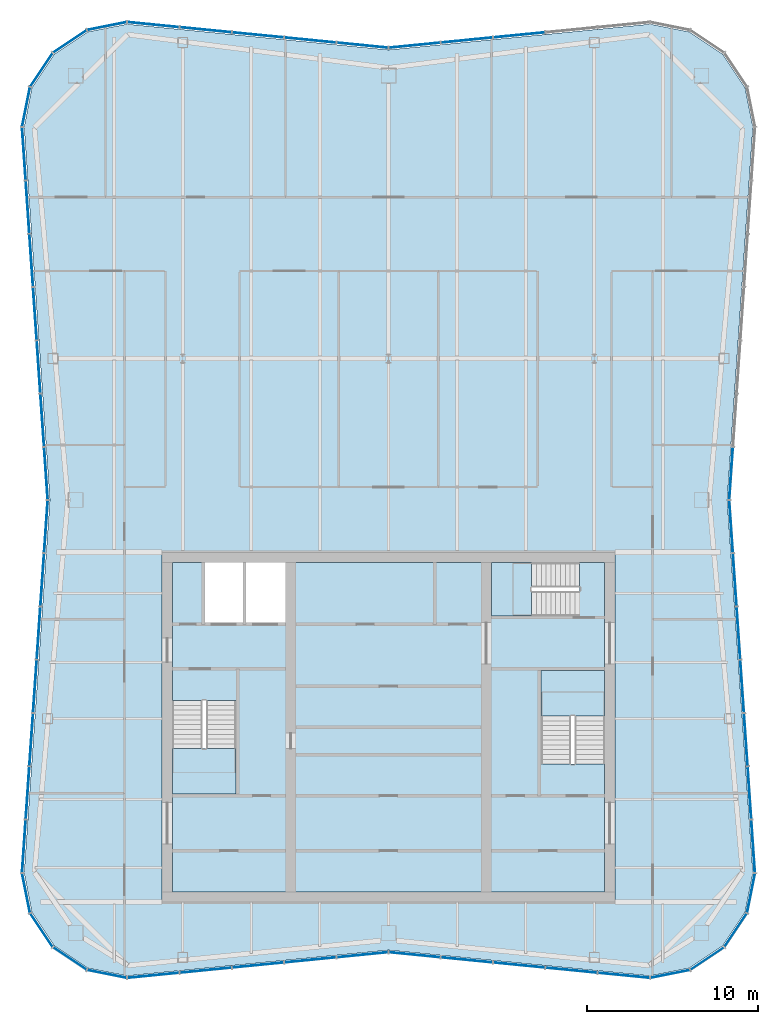
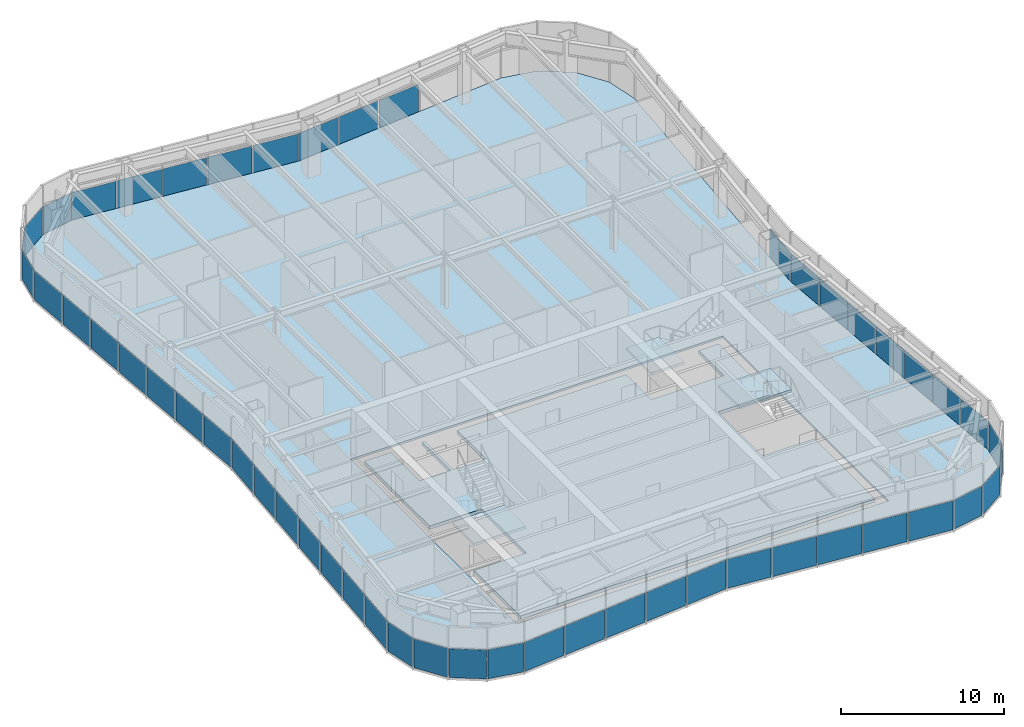
# One storey, part 8 of 13: 52 plates, 5 slabs, 10 elements without a shape of their own.
"""IFC4 building model written with IfcOpenShell, lengths in metres."""

from ifc_helpers import new_model, si_unit, direction, frame, origin, origin_2d, place, context, subcontext, project, spatial, polyline, rectangle, outline, extrude, material, layer, layer_set, type_object, element, aggregate, save


model = new_model("IFC4")

# Units and contexts
model_context = context("Model", 3, precision=1e-05, world=origin(), true_north=direction((0.0, 1.0)))
body_context = subcontext(model_context, "Body", "Model", "MODEL_VIEW")
ifc_project = project(units=[si_unit("LENGTHUNIT", "METRE"), si_unit("AREAUNIT", "SQUARE_METRE"), si_unit("VOLUMEUNIT", "CUBIC_METRE"), si_unit("PLANEANGLEUNIT", "RADIAN"), si_unit("MASSUNIT", "GRAM", prefix="KILO")], contexts=[model_context])

# Site, building, storey
site_placement = place(None, origin())
site = spatial("IfcSite", under=ifc_project, at=site_placement, CompositionType="ELEMENT")
building_placement = place(site_placement, origin())
building = spatial("IfcBuilding", under=site, at=building_placement, Name="Verdant Reach Tower", CompositionType="ELEMENT")
storey_placement = place(building_placement, frame((0.0, 0.0, 364.0)))
storey = spatial("IfcBuildingStorey", under=building, at=storey_placement, Name="L82 Plant", CompositionType="ELEMENT", Elevation=364.0)

# Stair, slab
ifc_material_1 = material(Name="Concrete C40/50", Category="concrete")
stair_type = type_object("IfcStairType", Name="CO-STAIR", PredefinedType="HALF_TURN_STAIR", material=ifc_material_1)
stair_1_placement = place(storey_placement, origin())
stair_1 = element("IfcStair", 1, at=stair_1_placement, inside=storey, type_object=stair_type, Name="L82 Plant Exit stair 1", PredefinedType="HALF_TURN_STAIR")
ifc_layer_1 = layer(ifc_material_1, 0.199951171875)
ifc_layer_set_1 = layer_set([ifc_layer_1], Name="CO-STAIR-LANDING")
slab_type_1 = type_object("IfcSlabType", Name="CO-STAIR-LANDING", PredefinedType="LANDING", material=ifc_layer_set_1)
slab_1_placement = place(storey_placement, frame((0.0, 0.0, 1.800048828125)))
slab_1 = element("IfcSlab", 2, at=slab_1_placement, type_object=slab_type_1, Name="ST-1 landing 1", PredefinedType="LANDING", context=body_context, shape_type="SweptSolid", body=[
    extrude(outline(polyline([(-12.60009765625, 26.75), (-12.60009765625, 24.10009765625), (-8.89990234375, 24.10009765625), (-8.89990234375, 26.75), (-12.60009765625, 26.75)])), origin(), (0.0, 0.0, 1.0), 0.199951171875),
])
aggregate(stair_1, [slab_1])

stair_2_placement = place(storey_placement, origin())
stair_2 = element("IfcStair", 3, at=stair_2_placement, inside=storey, type_object=stair_type, Name="L82 Plant Exit stair 2", PredefinedType="HALF_TURN_STAIR")
slab_2_placement = place(storey_placement, frame((0.0, 0.0, 1.800048828125)))
slab_2 = element("IfcSlab", 4, at=slab_2_placement, type_object=slab_type_1, Name="ST-2 landing 1", PredefinedType="LANDING", context=body_context, shape_type="SweptSolid", body=[
    extrude(outline(polyline([(12.60009765625, 28.64990234375), (12.60009765625, 31.300048828125), (8.89990234375, 31.300048828125), (8.89990234375, 28.64990234375), (12.60009765625, 28.64990234375)])), origin(), (0.0, 0.0, 1.0), 0.199951171875),
])
aggregate(stair_2, [slab_2])

stair_3_placement = place(storey_placement, origin())
stair_3 = element("IfcStair", 5, at=stair_3_placement, inside=storey, type_object=stair_type, Name="L82 Plant Exit stair 3", PredefinedType="HALF_TURN_STAIR")
slab_3_placement = place(storey_placement, frame((0.0, 0.0, 1.800048828125)))
slab_3 = element("IfcSlab", 6, at=slab_3_placement, type_object=slab_type_1, Name="ST-3 landing 1", PredefinedType="LANDING", context=body_context, shape_type="SweptSolid", body=[
    extrude(outline(polyline([(8.35009765625, 37.60009765625), (6.0, 37.60009765625), (6.0, 34.5), (8.35009765625, 34.5), (8.35009765625, 37.60009765625)])), origin(), (0.0, 0.0, 1.0), 0.199951171875),
])
aggregate(stair_3, [slab_3])

# Curtain wall, plates
ifc_material_2 = material(Name="Anodised aluminium", Category="aluminium")
curtain_wall_type = type_object("IfcCurtainWallType", Name="EN-CW SYSTEM PLANT", PredefinedType="NOTDEFINED", material=ifc_material_2)
curtain_wall_1_placement = place(storey_placement, origin())
curtain_wall_1 = element("IfcCurtainWall", 7, at=curtain_wall_1_placement, inside=storey, type_object=curtain_wall_type, Name="Curtain wall south-east corner, L82", PredefinedType="NOTDEFINED")
ifc_material_3 = material(Name="Bronze anodised aluminium solid panel", Category="aluminium")
ifc_layer_2 = layer(ifc_material_3, 0.0400390625)
ifc_layer_set_2 = layer_set([ifc_layer_2], Name="EN-PANEL SOLID")
plate_type = type_object("IfcPlateType", Name="EN-PANEL SOLID", PredefinedType="CURTAIN_PANEL", material=ifc_layer_set_2)
plate_1_placement = place(storey_placement, frame((16.423828125, 13.614013671875, -0.2001953125), z_axis=(0.0, 0.0, 1.0), x_axis=(0.980705120874, 0.195492879387, 0.0)))
plate_1 = element("IfcPlate", 8, at=plate_1_placement, type_object=plate_type, Name="Solid panel south-east corner 1.1, L82", PredefinedType="CURTAIN_PANEL", context=body_context, shape_type="SweptSolid", body=[
    extrude(rectangle(XDim=2.3056640625, YDim=0.0400390625, at=origin_2d()), origin(), (0.0, 0.0, 1.0), 2.175048828125),
])
plate_2_placement = place(storey_placement, frame((18.584228515625, 14.510009765625, -0.2001953125), z_axis=(0.0, 0.0, 1.0), x_axis=(0.83145208321, 0.555596466265, 0.0)))
plate_2 = element("IfcPlate", 9, at=plate_2_placement, type_object=plate_type, Name="Solid panel south-east corner 2.1, L82", PredefinedType="CURTAIN_PANEL", context=body_context, shape_type="SweptSolid", body=[
    extrude(rectangle(XDim=2.3115234375, YDim=0.0400390625, at=origin_2d()), origin(), (0.0, 0.0, 1.0), 2.175048828125),
])
plate_3_placement = place(storey_placement, frame((20.239990234375, 16.165771484375, -0.2001953125), z_axis=(0.0, 0.0, 1.0), x_axis=(0.555596466265, 0.83145208321, 0.0)))
plate_3 = element("IfcPlate", 10, at=plate_3_placement, type_object=plate_type, Name="Solid panel south-east corner 3.1, L82", PredefinedType="CURTAIN_PANEL", context=body_context, shape_type="SweptSolid", body=[
    extrude(rectangle(XDim=2.3115234375, YDim=0.0400390625, at=origin_2d()), origin(), (0.0, 0.0, 1.0), 2.175048828125),
])
plate_4_placement = place(storey_placement, frame((21.135986328125, 18.325439453125, -0.2001953125), z_axis=(0.0, 0.0, 1.0), x_axis=(0.195592962334, 0.980685165119, 0.0)))
plate_4 = element("IfcPlate", 11, at=plate_4_placement, type_object=plate_type, Name="Solid panel south-east corner 4.1, L82", PredefinedType="CURTAIN_PANEL", context=body_context, shape_type="SweptSolid", body=[
    extrude(rectangle(XDim=2.303955078125, YDim=0.0400390625, at=origin_2d()), origin(), (0.0, 0.0, 1.0), 2.175048828125),
])
aggregate(curtain_wall_1, [plate_1, plate_2, plate_3, plate_4])

curtain_wall_2_placement = place(storey_placement, origin())
curtain_wall_2 = element("IfcCurtainWall", 12, at=curtain_wall_2_placement, inside=storey, type_object=curtain_wall_type, Name="Curtain wall east, L82", PredefinedType="NOTDEFINED")
plate_5_placement = place(storey_placement, frame((21.261474609375, 21.053955078125, -0.2001953125), z_axis=(0.0, 0.0, 1.0), x_axis=(-0.068469163133, 0.997653233193, 0.0)))
plate_5 = element("IfcPlate", 13, at=plate_5_placement, type_object=plate_type, Name="Solid panel east face part 1 1.1, L82", PredefinedType="CURTAIN_PANEL", context=body_context, shape_type="SweptSolid", body=[
    extrude(rectangle(XDim=3.05419921875, YDim=0.0400390625, at=origin_2d()), origin(), (0.0, 0.0, 1.0), 2.175048828125),
])
plate_6_placement = place(storey_placement, frame((21.04736328125, 24.1689453125, -0.2001953125), z_axis=(0.0, 0.0, 1.0), x_axis=(-0.068802091615, 0.997630328423, 0.0)))
plate_6 = element("IfcPlate", 14, at=plate_6_placement, type_object=plate_type, Name="Solid panel east face part 1 2.1, L82", PredefinedType="CURTAIN_PANEL", context=body_context, shape_type="SweptSolid", body=[
    extrude(rectangle(XDim=3.03857421875, YDim=0.0400390625, at=origin_2d()), origin(), (0.0, 0.0, 1.0), 2.175048828125),
])
plate_7_placement = place(storey_placement, frame((20.8330078125, 27.276123046875, -0.2001953125), z_axis=(0.0, 0.0, 1.0), x_axis=(-0.068802091615, 0.997630328423, 0.0)))
plate_7 = element("IfcPlate", 15, at=plate_7_placement, type_object=plate_type, Name="Solid panel east face part 1 3.1, L82", PredefinedType="CURTAIN_PANEL", context=body_context, shape_type="SweptSolid", body=[
    extrude(rectangle(XDim=3.03857421875, YDim=0.0400390625, at=origin_2d()), origin(), (0.0, 0.0, 1.0), 2.175048828125),
])
plate_8_placement = place(storey_placement, frame((20.61865234375, 30.38330078125, -0.2001953125), z_axis=(0.0, 0.0, 1.0), x_axis=(-0.068802091615, 0.997630328423, 0.0)))
plate_8 = element("IfcPlate", 16, at=plate_8_placement, type_object=plate_type, Name="Solid panel east face part 1 4.1, L82", PredefinedType="CURTAIN_PANEL", context=body_context, shape_type="SweptSolid", body=[
    extrude(rectangle(XDim=3.03857421875, YDim=0.0400390625, at=origin_2d()), origin(), (0.0, 0.0, 1.0), 2.175048828125),
])
plate_9_placement = place(storey_placement, frame((20.404541015625, 33.490234375, -0.2001953125), z_axis=(0.0, 0.0, 1.0), x_axis=(-0.068802091615, 0.997630328423, 0.0)))
plate_9 = element("IfcPlate", 17, at=plate_9_placement, type_object=plate_type, Name="Solid panel east face part 1 5.1, L82", PredefinedType="CURTAIN_PANEL", context=body_context, shape_type="SweptSolid", body=[
    extrude(rectangle(XDim=3.03857421875, YDim=0.0400390625, at=origin_2d()), origin(), (0.0, 0.0, 1.0), 2.175048828125),
])
plate_10_placement = place(storey_placement, frame((20.190185546875, 36.597412109375, -0.2001953125), z_axis=(0.0, 0.0, 1.0), x_axis=(-0.068802091615, 0.997630328423, 0.0)))
plate_10 = element("IfcPlate", 18, at=plate_10_placement, type_object=plate_type, Name="Solid panel east face part 1 6.1, L82", PredefinedType="CURTAIN_PANEL", context=body_context, shape_type="SweptSolid", body=[
    extrude(rectangle(XDim=3.03857421875, YDim=0.0400390625, at=origin_2d()), origin(), (0.0, 0.0, 1.0), 2.175048828125),
])
plate_11_placement = place(storey_placement, frame((19.97607421875, 39.700439453125, -0.2001953125), z_axis=(0.0, 0.0, 1.0), x_axis=(-0.068892655483, 0.997624078509, 0.0)))
plate_11 = element("IfcPlate", 19, at=plate_11_placement, type_object=plate_type, Name="Solid panel east face part 1 7.1, L82", PredefinedType="CURTAIN_PANEL", context=body_context, shape_type="SweptSolid", body=[
    extrude(rectangle(XDim=3.0302734375, YDim=0.0400390625, at=origin_2d()), origin(), (0.0, 0.0, 1.0), 2.175048828125),
])
plate_12_placement = place(storey_placement, frame((19.97607421875, 42.799560546875, -0.2001953125), z_axis=(0.0, 0.0, 1.0), x_axis=(0.068892655483, 0.997624078509, 0.0)))
plate_12 = element("IfcPlate", 20, at=plate_12_placement, type_object=plate_type, Name="Solid panel east face part 2 1.1, L82", PredefinedType="CURTAIN_PANEL", context=body_context, shape_type="SweptSolid", body=[
    extrude(rectangle(XDim=3.0302734375, YDim=0.0400390625, at=origin_2d()), origin(), (0.0, 0.0, 1.0), 2.175048828125),
])
aggregate(curtain_wall_2, [plate_5, plate_6, plate_7, plate_8, plate_9, plate_10, plate_11, plate_12])

curtain_wall_3_placement = place(storey_placement, origin())
curtain_wall_3 = element("IfcCurtainWall", 21, at=curtain_wall_3_placement, inside=storey, type_object=curtain_wall_type, Name="Curtain wall north, L82", PredefinedType="NOTDEFINED")
plate_13_placement = place(storey_placement, frame((7.61328125, 68.368408203125, -0.2001953125), z_axis=(0.0, 0.0, 1.0), x_axis=(-0.995197410875, -0.09788826992, 0.0)))
plate_13 = element("IfcPlate", 22, at=plate_13_placement, type_object=plate_type, Name="Solid panel north face part 1 3.1, L82", PredefinedType="CURTAIN_PANEL", context=body_context, shape_type="SweptSolid", body=[
    extrude(rectangle(XDim=2.98876953125, YDim=0.0400390625, at=origin_2d()), origin(), (0.0, 0.0, 1.0), 2.175048828125),
])
plate_14_placement = place(storey_placement, frame((4.563232421875, 68.068359375, -0.2001953125), z_axis=(0.0, 0.0, 1.0), x_axis=(-0.995197410875, -0.09788826992, 0.0)))
plate_14 = element("IfcPlate", 23, at=plate_14_placement, type_object=plate_type, Name="Solid panel north face part 1 4.1, L82", PredefinedType="CURTAIN_PANEL", context=body_context, shape_type="SweptSolid", body=[
    extrude(rectangle(XDim=2.98876953125, YDim=0.0400390625, at=origin_2d()), origin(), (0.0, 0.0, 1.0), 2.175048828125),
])
plate_15_placement = place(storey_placement, frame((1.519287109375, 67.768798828125, -0.2001953125), z_axis=(0.0, 0.0, 1.0), x_axis=(-0.995179069607, -0.098074560493, 0.0)))
plate_15 = element("IfcPlate", 24, at=plate_15_placement, type_object=plate_type, Name="Solid panel north face part 1 5.1, L82", PredefinedType="CURTAIN_PANEL", context=body_context, shape_type="SweptSolid", body=[
    extrude(rectangle(XDim=2.97705078125, YDim=0.0400390625, at=origin_2d()), origin(), (0.0, 0.0, 1.0), 2.175048828125),
])
plate_16_placement = place(storey_placement, frame((-1.519287109375, 67.768798828125, -0.2001953125), z_axis=(0.0, 0.0, 1.0), x_axis=(-0.995179069607, 0.098074560493, 0.0)))
plate_16 = element("IfcPlate", 25, at=plate_16_placement, type_object=plate_type, Name="Solid panel north face part 2 1.1, L82", PredefinedType="CURTAIN_PANEL", context=body_context, shape_type="SweptSolid", body=[
    extrude(rectangle(XDim=2.97705078125, YDim=0.0400390625, at=origin_2d()), origin(), (0.0, 0.0, 1.0), 2.175048828125),
])
plate_17_placement = place(storey_placement, frame((-4.563232421875, 68.068359375, -0.2001953125), z_axis=(0.0, 0.0, 1.0), x_axis=(-0.995197410875, 0.09788826992, 0.0)))
plate_17 = element("IfcPlate", 26, at=plate_17_placement, type_object=plate_type, Name="Solid panel north face part 2 2.1, L82", PredefinedType="CURTAIN_PANEL", context=body_context, shape_type="SweptSolid", body=[
    extrude(rectangle(XDim=2.98876953125, YDim=0.0400390625, at=origin_2d()), origin(), (0.0, 0.0, 1.0), 2.175048828125),
])
plate_18_placement = place(storey_placement, frame((-7.61328125, 68.368408203125, -0.2001953125), z_axis=(0.0, 0.0, 1.0), x_axis=(-0.995197410875, 0.09788826992, 0.0)))
plate_18 = element("IfcPlate", 27, at=plate_18_placement, type_object=plate_type, Name="Solid panel north face part 2 3.1, L82", PredefinedType="CURTAIN_PANEL", context=body_context, shape_type="SweptSolid", body=[
    extrude(rectangle(XDim=2.98876953125, YDim=0.0400390625, at=origin_2d()), origin(), (0.0, 0.0, 1.0), 2.175048828125),
])
plate_19_placement = place(storey_placement, frame((-10.663330078125, 68.66845703125, -0.2001953125), z_axis=(0.0, 0.0, 1.0), x_axis=(-0.995197410875, 0.09788826992, 0.0)))
plate_19 = element("IfcPlate", 28, at=plate_19_placement, type_object=plate_type, Name="Solid panel north face part 2 4.1, L82", PredefinedType="CURTAIN_PANEL", context=body_context, shape_type="SweptSolid", body=[
    extrude(rectangle(XDim=2.98876953125, YDim=0.0400390625, at=origin_2d()), origin(), (0.0, 0.0, 1.0), 2.175048828125),
])
plate_20_placement = place(storey_placement, frame((-13.72216796875, 68.96875, -0.2001953125), z_axis=(0.0, 0.0, 1.0), x_axis=(-0.995238191716, 0.097472774402, 0.0)))
plate_20 = element("IfcPlate", 29, at=plate_20_placement, type_object=plate_type, Name="Solid panel north face part 2 5.1, L82", PredefinedType="CURTAIN_PANEL", context=body_context, shape_type="SweptSolid", body=[
    extrude(rectangle(XDim=3.006103515625, YDim=0.0400390625, at=origin_2d()), origin(), (0.0, 0.0, 1.0), 2.175048828125),
])
aggregate(curtain_wall_3, [plate_13, plate_14, plate_15, plate_16, plate_17, plate_18, plate_19, plate_20])

curtain_wall_4_placement = place(storey_placement, origin())
curtain_wall_4 = element("IfcCurtainWall", 30, at=curtain_wall_4_placement, inside=storey, type_object=curtain_wall_type, Name="Curtain wall north-west corner, L82", PredefinedType="NOTDEFINED")
plate_21_placement = place(storey_placement, frame((-16.423828125, 68.885986328125, -0.2001953125), z_axis=(0.0, 0.0, 1.0), x_axis=(-0.980705120874, -0.195492879387, 0.0)))
plate_21 = element("IfcPlate", 31, at=plate_21_placement, type_object=plate_type, Name="Solid panel north-west corner 1.1, L82", PredefinedType="CURTAIN_PANEL", context=body_context, shape_type="SweptSolid", body=[
    extrude(rectangle(XDim=2.3056640625, YDim=0.0400390625, at=origin_2d()), origin(), (0.0, 0.0, 1.0), 2.175048828125),
])
plate_22_placement = place(storey_placement, frame((-18.584228515625, 67.989990234375, -0.2001953125), z_axis=(0.0, 0.0, 1.0), x_axis=(-0.83145208321, -0.555596466265, 0.0)))
plate_22 = element("IfcPlate", 32, at=plate_22_placement, type_object=plate_type, Name="Solid panel north-west corner 2.1, L82", PredefinedType="CURTAIN_PANEL", context=body_context, shape_type="SweptSolid", body=[
    extrude(rectangle(XDim=2.3115234375, YDim=0.0400390625, at=origin_2d()), origin(), (0.0, 0.0, 1.0), 2.175048828125),
])
plate_23_placement = place(storey_placement, frame((-20.239990234375, 66.334228515625, -0.2001953125), z_axis=(0.0, 0.0, 1.0), x_axis=(-0.555596466265, -0.83145208321, 0.0)))
plate_23 = element("IfcPlate", 33, at=plate_23_placement, type_object=plate_type, Name="Solid panel north-west corner 3.1, L82", PredefinedType="CURTAIN_PANEL", context=body_context, shape_type="SweptSolid", body=[
    extrude(rectangle(XDim=2.3115234375, YDim=0.0400390625, at=origin_2d()), origin(), (0.0, 0.0, 1.0), 2.175048828125),
])
plate_24_placement = place(storey_placement, frame((-21.135986328125, 64.174560546875, -0.2001953125), z_axis=(0.0, 0.0, 1.0), x_axis=(-0.195592962334, -0.980685165119, 0.0)))
plate_24 = element("IfcPlate", 34, at=plate_24_placement, type_object=plate_type, Name="Solid panel north-west corner 4.1, L82", PredefinedType="CURTAIN_PANEL", context=body_context, shape_type="SweptSolid", body=[
    extrude(rectangle(XDim=2.303955078125, YDim=0.0400390625, at=origin_2d()), origin(), (0.0, 0.0, 1.0), 2.175048828125),
])
aggregate(curtain_wall_4, [plate_21, plate_22, plate_23, plate_24])

curtain_wall_5_placement = place(storey_placement, origin())
curtain_wall_5 = element("IfcCurtainWall", 35, at=curtain_wall_5_placement, inside=storey, type_object=curtain_wall_type, Name="Curtain wall west, L82", PredefinedType="NOTDEFINED")
plate_25_placement = place(storey_placement, frame((-21.261474609375, 61.446044921875, -0.2001953125), z_axis=(0.0, 0.0, 1.0), x_axis=(0.068469163133, -0.997653233193, 0.0)))
plate_25 = element("IfcPlate", 36, at=plate_25_placement, type_object=plate_type, Name="Solid panel west face part 1 1.1, L82", PredefinedType="CURTAIN_PANEL", context=body_context, shape_type="SweptSolid", body=[
    extrude(rectangle(XDim=3.05419921875, YDim=0.0400390625, at=origin_2d()), origin(), (0.0, 0.0, 1.0), 2.175048828125),
])
plate_26_placement = place(storey_placement, frame((-21.04736328125, 58.3310546875, -0.2001953125), z_axis=(0.0, 0.0, 1.0), x_axis=(0.068802091615, -0.997630328423, 0.0)))
plate_26 = element("IfcPlate", 37, at=plate_26_placement, type_object=plate_type, Name="Solid panel west face part 1 2.1, L82", PredefinedType="CURTAIN_PANEL", context=body_context, shape_type="SweptSolid", body=[
    extrude(rectangle(XDim=3.03857421875, YDim=0.0400390625, at=origin_2d()), origin(), (0.0, 0.0, 1.0), 2.175048828125),
])
plate_27_placement = place(storey_placement, frame((-20.8330078125, 55.223876953125, -0.2001953125), z_axis=(0.0, 0.0, 1.0), x_axis=(0.068802091615, -0.997630328423, 0.0)))
plate_27 = element("IfcPlate", 38, at=plate_27_placement, type_object=plate_type, Name="Solid panel west face part 1 3.1, L82", PredefinedType="CURTAIN_PANEL", context=body_context, shape_type="SweptSolid", body=[
    extrude(rectangle(XDim=3.03857421875, YDim=0.0400390625, at=origin_2d()), origin(), (0.0, 0.0, 1.0), 2.175048828125),
])
plate_28_placement = place(storey_placement, frame((-20.61865234375, 52.11669921875, -0.2001953125), z_axis=(0.0, 0.0, 1.0), x_axis=(0.068802091615, -0.997630328423, 0.0)))
plate_28 = element("IfcPlate", 39, at=plate_28_placement, type_object=plate_type, Name="Solid panel west face part 1 4.1, L82", PredefinedType="CURTAIN_PANEL", context=body_context, shape_type="SweptSolid", body=[
    extrude(rectangle(XDim=3.03857421875, YDim=0.0400390625, at=origin_2d()), origin(), (0.0, 0.0, 1.0), 2.175048828125),
])
plate_29_placement = place(storey_placement, frame((-20.404541015625, 49.009765625, -0.2001953125), z_axis=(0.0, 0.0, 1.0), x_axis=(0.068802091615, -0.997630328423, 0.0)))
plate_29 = element("IfcPlate", 40, at=plate_29_placement, type_object=plate_type, Name="Solid panel west face part 1 5.1, L82", PredefinedType="CURTAIN_PANEL", context=body_context, shape_type="SweptSolid", body=[
    extrude(rectangle(XDim=3.03857421875, YDim=0.0400390625, at=origin_2d()), origin(), (0.0, 0.0, 1.0), 2.175048828125),
])
plate_30_placement = place(storey_placement, frame((-20.190185546875, 45.902587890625, -0.2001953125), z_axis=(0.0, 0.0, 1.0), x_axis=(0.068802091615, -0.997630328423, 0.0)))
plate_30 = element("IfcPlate", 41, at=plate_30_placement, type_object=plate_type, Name="Solid panel west face part 1 6.1, L82", PredefinedType="CURTAIN_PANEL", context=body_context, shape_type="SweptSolid", body=[
    extrude(rectangle(XDim=3.03857421875, YDim=0.0400390625, at=origin_2d()), origin(), (0.0, 0.0, 1.0), 2.175048828125),
])
plate_31_placement = place(storey_placement, frame((-19.97607421875, 42.799560546875, -0.2001953125), z_axis=(0.0, 0.0, 1.0), x_axis=(0.068892655483, -0.997624078509, 0.0)))
plate_31 = element("IfcPlate", 42, at=plate_31_placement, type_object=plate_type, Name="Solid panel west face part 1 7.1, L82", PredefinedType="CURTAIN_PANEL", context=body_context, shape_type="SweptSolid", body=[
    extrude(rectangle(XDim=3.0302734375, YDim=0.0400390625, at=origin_2d()), origin(), (0.0, 0.0, 1.0), 2.175048828125),
])
plate_32_placement = place(storey_placement, frame((-19.97607421875, 39.700439453125, -0.2001953125), z_axis=(0.0, 0.0, 1.0), x_axis=(-0.068892655483, -0.997624078509, 0.0)))
plate_32 = element("IfcPlate", 43, at=plate_32_placement, type_object=plate_type, Name="Solid panel west face part 2 1.1, L82", PredefinedType="CURTAIN_PANEL", context=body_context, shape_type="SweptSolid", body=[
    extrude(rectangle(XDim=3.0302734375, YDim=0.0400390625, at=origin_2d()), origin(), (0.0, 0.0, 1.0), 2.175048828125),
])
plate_33_placement = place(storey_placement, frame((-20.190185546875, 36.597412109375, -0.2001953125), z_axis=(0.0, 0.0, 1.0), x_axis=(-0.068802091615, -0.997630328423, 0.0)))
plate_33 = element("IfcPlate", 44, at=plate_33_placement, type_object=plate_type, Name="Solid panel west face part 2 2.1, L82", PredefinedType="CURTAIN_PANEL", context=body_context, shape_type="SweptSolid", body=[
    extrude(rectangle(XDim=3.03857421875, YDim=0.0400390625, at=origin_2d()), origin(), (0.0, 0.0, 1.0), 2.175048828125),
])
plate_34_placement = place(storey_placement, frame((-20.404541015625, 33.490234375, -0.2001953125), z_axis=(0.0, 0.0, 1.0), x_axis=(-0.068802091615, -0.997630328423, 0.0)))
plate_34 = element("IfcPlate", 45, at=plate_34_placement, type_object=plate_type, Name="Solid panel west face part 2 3.1, L82", PredefinedType="CURTAIN_PANEL", context=body_context, shape_type="SweptSolid", body=[
    extrude(rectangle(XDim=3.03857421875, YDim=0.0400390625, at=origin_2d()), origin(), (0.0, 0.0, 1.0), 2.175048828125),
])
plate_35_placement = place(storey_placement, frame((-20.61865234375, 30.38330078125, -0.2001953125), z_axis=(0.0, 0.0, 1.0), x_axis=(-0.068802091615, -0.997630328423, 0.0)))
plate_35 = element("IfcPlate", 46, at=plate_35_placement, type_object=plate_type, Name="Solid panel west face part 2 4.1, L82", PredefinedType="CURTAIN_PANEL", context=body_context, shape_type="SweptSolid", body=[
    extrude(rectangle(XDim=3.03857421875, YDim=0.0400390625, at=origin_2d()), origin(), (0.0, 0.0, 1.0), 2.175048828125),
])
plate_36_placement = place(storey_placement, frame((-20.8330078125, 27.276123046875, -0.2001953125), z_axis=(0.0, 0.0, 1.0), x_axis=(-0.068802091615, -0.997630328423, 0.0)))
plate_36 = element("IfcPlate", 47, at=plate_36_placement, type_object=plate_type, Name="Solid panel west face part 2 5.1, L82", PredefinedType="CURTAIN_PANEL", context=body_context, shape_type="SweptSolid", body=[
    extrude(rectangle(XDim=3.03857421875, YDim=0.0400390625, at=origin_2d()), origin(), (0.0, 0.0, 1.0), 2.175048828125),
])
plate_37_placement = place(storey_placement, frame((-21.04736328125, 24.1689453125, -0.2001953125), z_axis=(0.0, 0.0, 1.0), x_axis=(-0.068802091615, -0.997630328423, 0.0)))
plate_37 = element("IfcPlate", 48, at=plate_37_placement, type_object=plate_type, Name="Solid panel west face part 2 6.1, L82", PredefinedType="CURTAIN_PANEL", context=body_context, shape_type="SweptSolid", body=[
    extrude(rectangle(XDim=3.03857421875, YDim=0.0400390625, at=origin_2d()), origin(), (0.0, 0.0, 1.0), 2.175048828125),
])
plate_38_placement = place(storey_placement, frame((-21.261474609375, 21.053955078125, -0.2001953125), z_axis=(0.0, 0.0, 1.0), x_axis=(-0.068469163133, -0.997653233193, 0.0)))
plate_38 = element("IfcPlate", 49, at=plate_38_placement, type_object=plate_type, Name="Solid panel west face part 2 7.1, L82", PredefinedType="CURTAIN_PANEL", context=body_context, shape_type="SweptSolid", body=[
    extrude(rectangle(XDim=3.05419921875, YDim=0.0400390625, at=origin_2d()), origin(), (0.0, 0.0, 1.0), 2.175048828125),
])
aggregate(curtain_wall_5, [plate_25, plate_26, plate_27, plate_28, plate_29, plate_30, plate_31, plate_32, plate_33, plate_34, plate_35, plate_36, plate_37, plate_38])

curtain_wall_6_placement = place(storey_placement, origin())
curtain_wall_6 = element("IfcCurtainWall", 50, at=curtain_wall_6_placement, inside=storey, type_object=curtain_wall_type, Name="Curtain wall south-west corner, L82", PredefinedType="NOTDEFINED")
plate_39_placement = place(storey_placement, frame((-21.135986328125, 18.325439453125, -0.2001953125), z_axis=(0.0, 0.0, 1.0), x_axis=(0.195592962334, -0.980685165119, 0.0)))
plate_39 = element("IfcPlate", 51, at=plate_39_placement, type_object=plate_type, Name="Solid panel south-west corner 1.1, L82", PredefinedType="CURTAIN_PANEL", context=body_context, shape_type="SweptSolid", body=[
    extrude(rectangle(XDim=2.303955078125, YDim=0.0400390625, at=origin_2d()), origin(), (0.0, 0.0, 1.0), 2.175048828125),
])
plate_40_placement = place(storey_placement, frame((-20.239990234375, 16.165771484375, -0.2001953125), z_axis=(0.0, 0.0, 1.0), x_axis=(0.555596466265, -0.83145208321, 0.0)))
plate_40 = element("IfcPlate", 52, at=plate_40_placement, type_object=plate_type, Name="Solid panel south-west corner 2.1, L82", PredefinedType="CURTAIN_PANEL", context=body_context, shape_type="SweptSolid", body=[
    extrude(rectangle(XDim=2.3115234375, YDim=0.0400390625, at=origin_2d()), origin(), (0.0, 0.0, 1.0), 2.175048828125),
])
plate_41_placement = place(storey_placement, frame((-18.584228515625, 14.510009765625, -0.2001953125), z_axis=(0.0, 0.0, 1.0), x_axis=(0.83145208321, -0.555596466265, 0.0)))
plate_41 = element("IfcPlate", 53, at=plate_41_placement, type_object=plate_type, Name="Solid panel south-west corner 3.1, L82", PredefinedType="CURTAIN_PANEL", context=body_context, shape_type="SweptSolid", body=[
    extrude(rectangle(XDim=2.3115234375, YDim=0.0400390625, at=origin_2d()), origin(), (0.0, 0.0, 1.0), 2.175048828125),
])
plate_42_placement = place(storey_placement, frame((-16.423828125, 13.614013671875, -0.2001953125), z_axis=(0.0, 0.0, 1.0), x_axis=(0.980705120874, -0.195492879387, 0.0)))
plate_42 = element("IfcPlate", 54, at=plate_42_placement, type_object=plate_type, Name="Solid panel south-west corner 4.1, L82", PredefinedType="CURTAIN_PANEL", context=body_context, shape_type="SweptSolid", body=[
    extrude(rectangle(XDim=2.3056640625, YDim=0.0400390625, at=origin_2d()), origin(), (0.0, 0.0, 1.0), 2.175048828125),
])
aggregate(curtain_wall_6, [plate_39, plate_40, plate_41, plate_42])

curtain_wall_7_placement = place(storey_placement, origin())
curtain_wall_7 = element("IfcCurtainWall", 55, at=curtain_wall_7_placement, inside=storey, type_object=curtain_wall_type, Name="Curtain wall south, L82", PredefinedType="NOTDEFINED")
plate_43_placement = place(storey_placement, frame((-13.72216796875, 13.53125, -0.2001953125), z_axis=(0.0, 0.0, 1.0), x_axis=(0.995238191716, 0.097472774402, 0.0)))
plate_43 = element("IfcPlate", 56, at=plate_43_placement, type_object=plate_type, Name="Solid panel south face part 1 1.1, L82", PredefinedType="CURTAIN_PANEL", context=body_context, shape_type="SweptSolid", body=[
    extrude(rectangle(XDim=3.006103515625, YDim=0.0400390625, at=origin_2d()), origin(), (0.0, 0.0, 1.0), 2.175048828125),
])
plate_44_placement = place(storey_placement, frame((-10.663330078125, 13.83154296875, -0.2001953125), z_axis=(0.0, 0.0, 1.0), x_axis=(0.995197410875, 0.09788826992, 0.0)))
plate_44 = element("IfcPlate", 57, at=plate_44_placement, type_object=plate_type, Name="Solid panel south face part 1 2.1, L82", PredefinedType="CURTAIN_PANEL", context=body_context, shape_type="SweptSolid", body=[
    extrude(rectangle(XDim=2.98876953125, YDim=0.0400390625, at=origin_2d()), origin(), (0.0, 0.0, 1.0), 2.175048828125),
])
plate_45_placement = place(storey_placement, frame((-7.61328125, 14.131591796875, -0.2001953125), z_axis=(0.0, 0.0, 1.0), x_axis=(0.995197410875, 0.09788826992, 0.0)))
plate_45 = element("IfcPlate", 58, at=plate_45_placement, type_object=plate_type, Name="Solid panel south face part 1 3.1, L82", PredefinedType="CURTAIN_PANEL", context=body_context, shape_type="SweptSolid", body=[
    extrude(rectangle(XDim=2.98876953125, YDim=0.0400390625, at=origin_2d()), origin(), (0.0, 0.0, 1.0), 2.175048828125),
])
plate_46_placement = place(storey_placement, frame((-4.563232421875, 14.431640625, -0.2001953125), z_axis=(0.0, 0.0, 1.0), x_axis=(0.995197410875, 0.09788826992, 0.0)))
plate_46 = element("IfcPlate", 59, at=plate_46_placement, type_object=plate_type, Name="Solid panel south face part 1 4.1, L82", PredefinedType="CURTAIN_PANEL", context=body_context, shape_type="SweptSolid", body=[
    extrude(rectangle(XDim=2.98876953125, YDim=0.0400390625, at=origin_2d()), origin(), (0.0, 0.0, 1.0), 2.175048828125),
])
plate_47_placement = place(storey_placement, frame((-1.519287109375, 14.731201171875, -0.2001953125), z_axis=(0.0, 0.0, 1.0), x_axis=(0.995179069607, 0.098074560493, 0.0)))
plate_47 = element("IfcPlate", 60, at=plate_47_placement, type_object=plate_type, Name="Solid panel south face part 1 5.1, L82", PredefinedType="CURTAIN_PANEL", context=body_context, shape_type="SweptSolid", body=[
    extrude(rectangle(XDim=2.97705078125, YDim=0.0400390625, at=origin_2d()), origin(), (0.0, 0.0, 1.0), 2.175048828125),
])
plate_48_placement = place(storey_placement, frame((1.519287109375, 14.731201171875, -0.2001953125), z_axis=(0.0, 0.0, 1.0), x_axis=(0.995179069607, -0.098074560493, 0.0)))
plate_48 = element("IfcPlate", 61, at=plate_48_placement, type_object=plate_type, Name="Solid panel south face part 2 1.1, L82", PredefinedType="CURTAIN_PANEL", context=body_context, shape_type="SweptSolid", body=[
    extrude(rectangle(XDim=2.97705078125, YDim=0.0400390625, at=origin_2d()), origin(), (0.0, 0.0, 1.0), 2.175048828125),
])
plate_49_placement = place(storey_placement, frame((4.563232421875, 14.431640625, -0.2001953125), z_axis=(0.0, 0.0, 1.0), x_axis=(0.995197410875, -0.09788826992, 0.0)))
plate_49 = element("IfcPlate", 62, at=plate_49_placement, type_object=plate_type, Name="Solid panel south face part 2 2.1, L82", PredefinedType="CURTAIN_PANEL", context=body_context, shape_type="SweptSolid", body=[
    extrude(rectangle(XDim=2.98876953125, YDim=0.0400390625, at=origin_2d()), origin(), (0.0, 0.0, 1.0), 2.175048828125),
])
plate_50_placement = place(storey_placement, frame((7.61328125, 14.131591796875, -0.2001953125), z_axis=(0.0, 0.0, 1.0), x_axis=(0.995197410875, -0.09788826992, 0.0)))
plate_50 = element("IfcPlate", 63, at=plate_50_placement, type_object=plate_type, Name="Solid panel south face part 2 3.1, L82", PredefinedType="CURTAIN_PANEL", context=body_context, shape_type="SweptSolid", body=[
    extrude(rectangle(XDim=2.98876953125, YDim=0.0400390625, at=origin_2d()), origin(), (0.0, 0.0, 1.0), 2.175048828125),
])
plate_51_placement = place(storey_placement, frame((10.663330078125, 13.83154296875, -0.2001953125), z_axis=(0.0, 0.0, 1.0), x_axis=(0.995197410875, -0.09788826992, 0.0)))
plate_51 = element("IfcPlate", 64, at=plate_51_placement, type_object=plate_type, Name="Solid panel south face part 2 4.1, L82", PredefinedType="CURTAIN_PANEL", context=body_context, shape_type="SweptSolid", body=[
    extrude(rectangle(XDim=2.98876953125, YDim=0.0400390625, at=origin_2d()), origin(), (0.0, 0.0, 1.0), 2.175048828125),
])
plate_52_placement = place(storey_placement, frame((13.72216796875, 13.53125, -0.2001953125), z_axis=(0.0, 0.0, 1.0), x_axis=(0.995238191716, -0.097472774402, 0.0)))
plate_52 = element("IfcPlate", 65, at=plate_52_placement, type_object=plate_type, Name="Solid panel south face part 2 5.1, L82", PredefinedType="CURTAIN_PANEL", context=body_context, shape_type="SweptSolid", body=[
    extrude(rectangle(XDim=3.006103515625, YDim=0.0400390625, at=origin_2d()), origin(), (0.0, 0.0, 1.0), 2.175048828125),
])
aggregate(curtain_wall_7, [plate_43, plate_44, plate_45, plate_46, plate_47, plate_48, plate_49, plate_50, plate_51, plate_52])

# Slabs
ifc_material_4 = material(Name="Concrete C35/45", Category="concrete")
ifc_layer_3 = layer(ifc_material_4, 0.14990234375)
ifc_layer_set_3 = layer_set([ifc_layer_3], Name="ST-SLAB-150")
slab_type_2 = type_object("IfcSlabType", Name="ST-SLAB-150", PredefinedType="FLOOR", material=ifc_layer_set_3)
slab_4_placement = place(storey_placement, frame((0.0, 0.0, -0.14990234375)))
element("IfcSlab", 66, at=slab_4_placement, inside=storey, type_object=slab_type_2, Name="Floor slab L82 Plant", PredefinedType="FLOOR", context=body_context, shape_type="SweptSolid", body=[
    extrude(outline(polyline([(0.0, 15.0), (-15.25, 13.5), (-17.546142578125, 13.956787109375), (-19.49267578125, 15.25732421875), (-20.793212890625, 17.203857421875), (-21.25, 19.5), (-19.75, 41.25), (-21.25, 63.0), (-20.793212890625, 65.296142578125), (-19.49267578125, 67.24267578125), (-17.546142578125, 68.543212890625), (-15.25, 69.0), (0.0, 67.5), (15.25, 69.0), (17.546142578125, 68.543212890625), (19.49267578125, 67.24267578125), (20.793212890625, 65.296142578125), (21.25, 63.0), (19.75, 41.25), (21.25, 19.5), (20.793212890625, 17.203857421875), (19.49267578125, 15.25732421875), (17.546142578125, 13.956787109375), (15.25, 13.5), (0.0, 15.0)]), holes=[polyline([(13.199951171875, 38.199951171875), (-13.199951171875, 38.199951171875), (-13.199951171875, 17.800048828125), (13.199951171875, 17.800048828125), (13.199951171875, 38.199951171875)])]), origin(), (0.0, 0.0, 1.0), 0.14990234375),
])
ifc_layer_4 = layer(ifc_material_4, 0.25)
ifc_layer_set_4 = layer_set([ifc_layer_4], Name="ST-SLAB-250")
slab_type_3 = type_object("IfcSlabType", Name="ST-SLAB-250", PredefinedType="FLOOR", material=ifc_layer_set_4)
slab_5_placement = place(storey_placement, frame((0.0, 0.0, -0.25)))
element("IfcSlab", 67, at=slab_5_placement, inside=storey, type_object=slab_type_3, Name="Core floor slab L82 Plant", PredefinedType="FLOOR", context=body_context, shape_type="SweptSolid", body=[
    extrude(outline(polyline([(12.60009765625, 18.39990234375), (-12.60009765625, 18.39990234375), (-12.60009765625, 24.10009765625), (-8.89990234375, 24.10009765625), (-8.89990234375, 29.548095703125), (-12.60009765625, 29.548095703125), (-12.60009765625, 37.60009765625), (-10.699951171875, 37.60009765625), (-10.699951171875, 34.10009765625), (-8.5, 34.10009765625), (-8.5, 37.60009765625), (-8.300048828125, 37.60009765625), (-8.300048828125, 34.10009765625), (-6.0, 34.10009765625), (-6.0, 37.60009765625), (6.0, 37.60009765625), (6.0, 34.5), (11.14794921875, 34.5), (11.14794921875, 37.60009765625), (12.60009765625, 37.60009765625), (12.60009765625, 31.300048828125), (8.89990234375, 31.300048828125), (8.89990234375, 25.85205078125), (12.60009765625, 25.85205078125), (12.60009765625, 18.39990234375)])), origin(), (0.0, 0.0, 1.0), 0.25),
])

save(model, "model.ifc")
